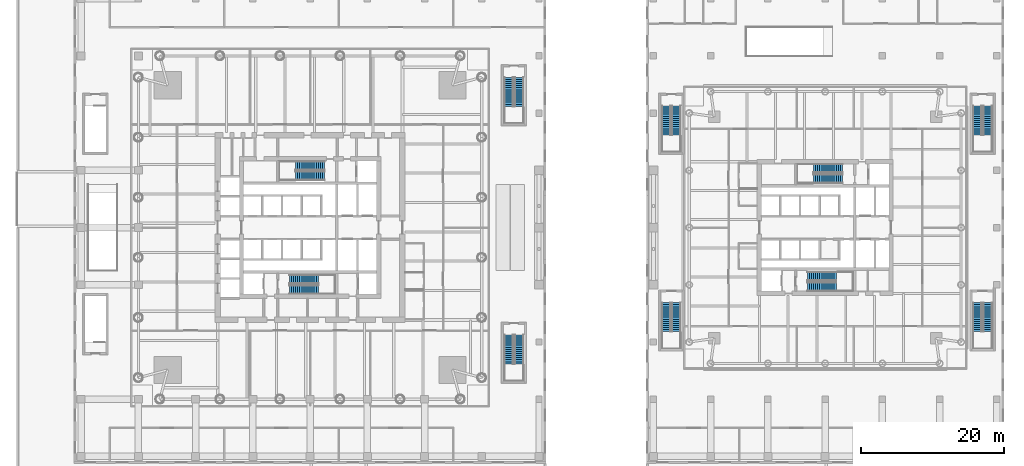
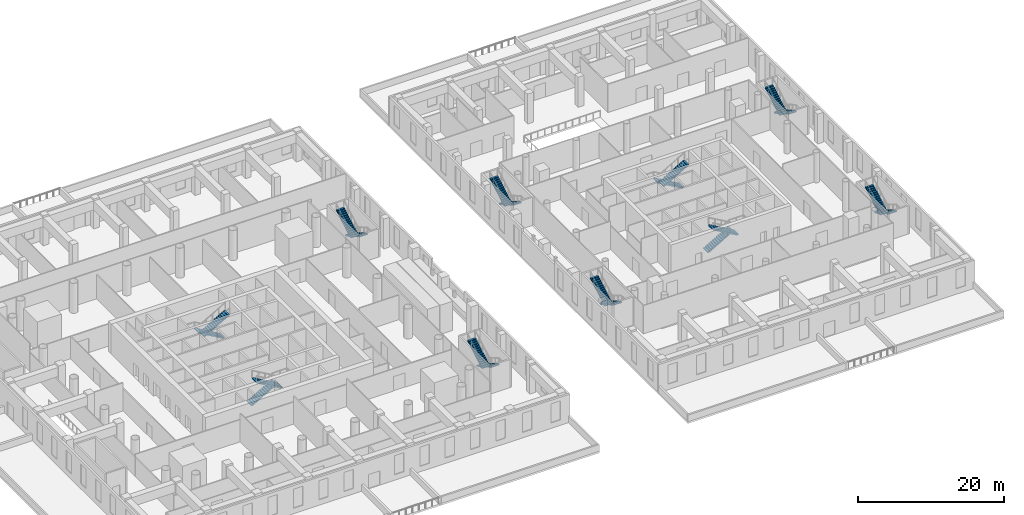
# One storey, part 21 of 26: 20 stair flights, 10 elements without a shape of their own.
"""IFC4 building model written with IfcOpenShell, lengths in metres."""

from ifc_helpers import new_model, si_unit, direction, frame, origin, place, context, subcontext, project, spatial, polyline, outline, extrude, material, type_object, element, aggregate, save


model = new_model("IFC4")

# Units and contexts
model_context = context("Model", 3, precision=1e-05, world=origin(), true_north=direction((0.0, 1.0)))
body_context = subcontext(model_context, "Body", "Model", "MODEL_VIEW")
ifc_project = project(units=[si_unit("LENGTHUNIT", "METRE"), si_unit("AREAUNIT", "SQUARE_METRE"), si_unit("VOLUMEUNIT", "CUBIC_METRE"), si_unit("PLANEANGLEUNIT", "RADIAN"), si_unit("MASSUNIT", "GRAM", prefix="KILO")], contexts=[model_context])

# Site, building, storey
site_placement = place(None, origin())
site = spatial("IfcSite", under=ifc_project, at=site_placement, CompositionType="ELEMENT")
building_placement = place(site_placement, origin())
building = spatial("IfcBuilding", under=site, at=building_placement, Name="Ostroluk Exchange", CompositionType="ELEMENT")
storey_placement = place(building_placement, frame((0.0, 0.0, 6.0)))
storey = spatial("IfcBuildingStorey", under=building, at=storey_placement, Name="L01", CompositionType="ELEMENT", Elevation=6.0)

# Stair, stair flights
ifc_material_1 = material(Name="Concrete C30/37", Category="concrete")
stair_type = type_object("IfcStairType", Name="Exit stair half turn 5000", PredefinedType="HALF_TURN_STAIR", material=ifc_material_1)
stair_1_placement = place(storey_placement, origin())
stair_1 = element("IfcStair", 1, at=stair_1_placement, inside=storey, type_object=stair_type, Name="Stair T1-S1 L01", PredefinedType="HALF_TURN_STAIR")
ifc_material_2 = material(Name="Concrete C30/37", Category="concrete")
stair_flight_type = type_object("IfcStairFlightType", Name="Stair flight 15 risers 166.7 x 290", PredefinedType="STRAIGHT", material=ifc_material_2)
stair_flight_1_placement = place(storey_placement, frame((42.10009765625, 38.77490234375, 0.0), z_axis=(0.0, 0.0, 1.0), x_axis=(1.0, 0.0, 0.0)))
stair_flight_1 = element("IfcStairFlight", 2, at=stair_flight_1_placement, type_object=stair_flight_type, Name="T1-S1 flight 1", NumberOfRisers=15, NumberOfTreads=14, PredefinedType="STRAIGHT", RiserHeight=0.166666667, TreadLength=0.29, context=body_context, shape_type="SweptSolid", body=[
    extrude(outline(polyline([(0.0, 0.0), (0.0, 0.166748046875), (0.2900390625, 0.166748046875), (0.2900390625, 0.333251953125), (0.580078125, 0.333251953125), (0.580078125, 0.5), (0.8701171875, 0.5), (0.8701171875, 0.666748046875), (1.159912109375, 0.666748046875), (1.159912109375, 0.833251953125), (1.449951171875, 0.833251953125), (1.449951171875, 1.0), (1.739990234375, 1.0), (1.739990234375, 1.166748046875), (2.030029296875, 1.166748046875), (2.030029296875, 1.333251953125), (2.320068359375, 1.333251953125), (2.320068359375, 1.5), (2.610107421875, 1.5), (2.610107421875, 1.666748046875), (2.89990234375, 1.666748046875), (2.89990234375, 1.833251953125), (3.18994140625, 1.833251953125), (3.18994140625, 2.0), (3.47998046875, 2.0), (3.47998046875, 2.166748046875), (3.77001953125, 2.166748046875), (3.77001953125, 2.333251953125), (4.06005859375, 2.333251953125), (4.06005859375, 2.5), (4.06005859375, 2.160400390625), (0.30078125, 0.0), (0.0, 0.0)])), frame((0.0, 0.625, 0.0), z_axis=(0.0, -1.0, 0.0), x_axis=(1.0, 0.0, 0.0)), (0.0, 0.0, 1.0), 1.25),
])
stair_flight_2_placement = place(storey_placement, frame((46.159912109375, 37.324951171875, 2.5), z_axis=(0.0, 0.0, 1.0), x_axis=(-1.0, 0.0, 0.0)))
stair_flight_2 = element("IfcStairFlight", 3, at=stair_flight_2_placement, type_object=stair_flight_type, Name="T1-S1 flight 2", NumberOfRisers=15, NumberOfTreads=14, PredefinedType="STRAIGHT", RiserHeight=0.166666667, TreadLength=0.29, context=body_context, shape_type="SweptSolid", body=[
    extrude(outline(polyline([(0.0, 0.0), (0.0, 0.166748046875), (0.2900390625, 0.166748046875), (0.2900390625, 0.333251953125), (0.580078125, 0.333251953125), (0.580078125, 0.5), (0.8701171875, 0.5), (0.8701171875, 0.666748046875), (1.159912109375, 0.666748046875), (1.159912109375, 0.833251953125), (1.449951171875, 0.833251953125), (1.449951171875, 1.0), (1.739990234375, 1.0), (1.739990234375, 1.166748046875), (2.030029296875, 1.166748046875), (2.030029296875, 1.333251953125), (2.320068359375, 1.333251953125), (2.320068359375, 1.5), (2.610107421875, 1.5), (2.610107421875, 1.666748046875), (2.89990234375, 1.666748046875), (2.89990234375, 1.833251953125), (3.18994140625, 1.833251953125), (3.18994140625, 2.0), (3.47998046875, 2.0), (3.47998046875, 2.166748046875), (3.77001953125, 2.166748046875), (3.77001953125, 2.333251953125), (4.06005859375, 2.333251953125), (4.06005859375, 2.5), (4.06005859375, 2.160400390625), (0.30078125, 0.0), (0.0, 0.0)])), frame((0.0, 0.625, 0.0), z_axis=(0.0, -1.0, 0.0), x_axis=(1.0, 0.0, 0.0)), (0.0, 0.0, 1.0), 1.25),
])
aggregate(stair_1, [stair_flight_1, stair_flight_2])

stair_2_placement = place(storey_placement, origin())
stair_2 = element("IfcStair", 4, at=stair_2_placement, inside=storey, type_object=stair_type, Name="Stair T1-S2 L01", PredefinedType="HALF_TURN_STAIR")
stair_flight_3_placement = place(storey_placement, frame((47.030029296875, 54.675048828125, 0.0), z_axis=(0.0, 0.0, 1.0), x_axis=(-1.0, 0.0, 0.0)))
stair_flight_3 = element("IfcStairFlight", 5, at=stair_flight_3_placement, type_object=stair_flight_type, Name="T1-S2 flight 1", NumberOfRisers=15, NumberOfTreads=14, PredefinedType="STRAIGHT", RiserHeight=0.166666667, TreadLength=0.29, context=body_context, shape_type="SweptSolid", body=[
    extrude(outline(polyline([(0.0, 0.0), (0.0, 0.166748046875), (0.2900390625, 0.166748046875), (0.2900390625, 0.333251953125), (0.580078125, 0.333251953125), (0.580078125, 0.5), (0.8701171875, 0.5), (0.8701171875, 0.666748046875), (1.159912109375, 0.666748046875), (1.159912109375, 0.833251953125), (1.449951171875, 0.833251953125), (1.449951171875, 1.0), (1.739990234375, 1.0), (1.739990234375, 1.166748046875), (2.030029296875, 1.166748046875), (2.030029296875, 1.333251953125), (2.320068359375, 1.333251953125), (2.320068359375, 1.5), (2.610107421875, 1.5), (2.610107421875, 1.666748046875), (2.89990234375, 1.666748046875), (2.89990234375, 1.833251953125), (3.18994140625, 1.833251953125), (3.18994140625, 2.0), (3.47998046875, 2.0), (3.47998046875, 2.166748046875), (3.77001953125, 2.166748046875), (3.77001953125, 2.333251953125), (4.06005859375, 2.333251953125), (4.06005859375, 2.5), (4.06005859375, 2.160400390625), (0.30078125, 0.0), (0.0, 0.0)])), frame((0.0, 0.625, 0.0), z_axis=(0.0, -1.0, 0.0), x_axis=(1.0, 0.0, 0.0)), (0.0, 0.0, 1.0), 1.25),
])
stair_flight_4_placement = place(storey_placement, frame((42.969970703125, 53.22509765625, 2.5), z_axis=(0.0, 0.0, 1.0), x_axis=(1.0, 0.0, 0.0)))
stair_flight_4 = element("IfcStairFlight", 6, at=stair_flight_4_placement, type_object=stair_flight_type, Name="T1-S2 flight 2", NumberOfRisers=15, NumberOfTreads=14, PredefinedType="STRAIGHT", RiserHeight=0.166666667, TreadLength=0.29, context=body_context, shape_type="SweptSolid", body=[
    extrude(outline(polyline([(0.0, 0.0), (0.0, 0.166748046875), (0.2900390625, 0.166748046875), (0.2900390625, 0.333251953125), (0.580078125, 0.333251953125), (0.580078125, 0.5), (0.8701171875, 0.5), (0.8701171875, 0.666748046875), (1.159912109375, 0.666748046875), (1.159912109375, 0.833251953125), (1.449951171875, 0.833251953125), (1.449951171875, 1.0), (1.739990234375, 1.0), (1.739990234375, 1.166748046875), (2.030029296875, 1.166748046875), (2.030029296875, 1.333251953125), (2.320068359375, 1.333251953125), (2.320068359375, 1.5), (2.610107421875, 1.5), (2.610107421875, 1.666748046875), (2.89990234375, 1.666748046875), (2.89990234375, 1.833251953125), (3.18994140625, 1.833251953125), (3.18994140625, 2.0), (3.47998046875, 2.0), (3.47998046875, 2.166748046875), (3.77001953125, 2.166748046875), (3.77001953125, 2.333251953125), (4.06005859375, 2.333251953125), (4.06005859375, 2.5), (4.06005859375, 2.160400390625), (0.30078125, 0.0), (0.0, 0.0)])), frame((0.0, 0.625, 0.0), z_axis=(0.0, -1.0, 0.0), x_axis=(1.0, 0.0, 0.0)), (0.0, 0.0, 1.0), 1.25),
])
aggregate(stair_2, [stair_flight_3, stair_flight_4])

stair_3_placement = place(storey_placement, origin())
stair_3 = element("IfcStair", 7, at=stair_3_placement, inside=storey, type_object=stair_type, Name="Stair T2-S1 L01", PredefinedType="HALF_TURN_STAIR")
stair_flight_5_placement = place(storey_placement, frame((114.5, 39.175048828125, 0.0), z_axis=(0.0, 0.0, 1.0), x_axis=(1.0, 0.0, 0.0)))
stair_flight_5 = element("IfcStairFlight", 8, at=stair_flight_5_placement, type_object=stair_flight_type, Name="T2-S1 flight 1", NumberOfRisers=15, NumberOfTreads=14, PredefinedType="STRAIGHT", RiserHeight=0.166666667, TreadLength=0.29, context=body_context, shape_type="SweptSolid", body=[
    extrude(outline(polyline([(0.0, 0.0), (0.0, 0.166748046875), (0.2900390625, 0.166748046875), (0.2900390625, 0.333251953125), (0.580078125, 0.333251953125), (0.580078125, 0.5), (0.8701171875, 0.5), (0.8701171875, 0.666748046875), (1.159912109375, 0.666748046875), (1.159912109375, 0.833251953125), (1.449951171875, 0.833251953125), (1.449951171875, 1.0), (1.739990234375, 1.0), (1.739990234375, 1.166748046875), (2.030029296875, 1.166748046875), (2.030029296875, 1.333251953125), (2.320068359375, 1.333251953125), (2.320068359375, 1.5), (2.610107421875, 1.5), (2.610107421875, 1.666748046875), (2.89990234375, 1.666748046875), (2.89990234375, 1.833251953125), (3.18994140625, 1.833251953125), (3.18994140625, 2.0), (3.47998046875, 2.0), (3.47998046875, 2.166748046875), (3.77001953125, 2.166748046875), (3.77001953125, 2.333251953125), (4.06005859375, 2.333251953125), (4.06005859375, 2.5), (4.06005859375, 2.160400390625), (0.30078125, 0.0), (0.0, 0.0)])), frame((0.0, 0.625, 0.0), z_axis=(0.0, -1.0, 0.0), x_axis=(1.0, 0.0, 0.0)), (0.0, 0.0, 1.0), 1.25),
])
stair_flight_6_placement = place(storey_placement, frame((118.56005859375, 37.72509765625, 2.5), z_axis=(0.0, 0.0, 1.0), x_axis=(-1.0, 0.0, 0.0)))
stair_flight_6 = element("IfcStairFlight", 9, at=stair_flight_6_placement, type_object=stair_flight_type, Name="T2-S1 flight 2", NumberOfRisers=15, NumberOfTreads=14, PredefinedType="STRAIGHT", RiserHeight=0.166666667, TreadLength=0.29, context=body_context, shape_type="SweptSolid", body=[
    extrude(outline(polyline([(0.0, 0.0), (0.0, 0.166748046875), (0.2900390625, 0.166748046875), (0.2900390625, 0.333251953125), (0.580078125, 0.333251953125), (0.580078125, 0.5), (0.8701171875, 0.5), (0.8701171875, 0.666748046875), (1.159912109375, 0.666748046875), (1.159912109375, 0.833251953125), (1.449951171875, 0.833251953125), (1.449951171875, 1.0), (1.739990234375, 1.0), (1.739990234375, 1.166748046875), (2.030029296875, 1.166748046875), (2.030029296875, 1.333251953125), (2.320068359375, 1.333251953125), (2.320068359375, 1.5), (2.610107421875, 1.5), (2.610107421875, 1.666748046875), (2.89990234375, 1.666748046875), (2.89990234375, 1.833251953125), (3.18994140625, 1.833251953125), (3.18994140625, 2.0), (3.47998046875, 2.0), (3.47998046875, 2.166748046875), (3.77001953125, 2.166748046875), (3.77001953125, 2.333251953125), (4.06005859375, 2.333251953125), (4.06005859375, 2.5), (4.06005859375, 2.160400390625), (0.30078125, 0.0), (0.0, 0.0)])), frame((0.0, 0.625, 0.0), z_axis=(0.0, -1.0, 0.0), x_axis=(1.0, 0.0, 0.0)), (0.0, 0.0, 1.0), 1.25),
])
aggregate(stair_3, [stair_flight_5, stair_flight_6])

stair_4_placement = place(storey_placement, origin())
stair_4 = element("IfcStair", 10, at=stair_4_placement, inside=storey, type_object=stair_type, Name="Stair T2-S2 L01", PredefinedType="HALF_TURN_STAIR")
stair_flight_7_placement = place(storey_placement, frame((119.429931640625, 54.27490234375, 0.0), z_axis=(0.0, 0.0, 1.0), x_axis=(-1.0, 0.0, 0.0)))
stair_flight_7 = element("IfcStairFlight", 11, at=stair_flight_7_placement, type_object=stair_flight_type, Name="T2-S2 flight 1", NumberOfRisers=15, NumberOfTreads=14, PredefinedType="STRAIGHT", RiserHeight=0.166666667, TreadLength=0.29, context=body_context, shape_type="SweptSolid", body=[
    extrude(outline(polyline([(0.0, 0.0), (0.0, 0.166748046875), (0.2900390625, 0.166748046875), (0.2900390625, 0.333251953125), (0.580078125, 0.333251953125), (0.580078125, 0.5), (0.8701171875, 0.5), (0.8701171875, 0.666748046875), (1.159912109375, 0.666748046875), (1.159912109375, 0.833251953125), (1.449951171875, 0.833251953125), (1.449951171875, 1.0), (1.739990234375, 1.0), (1.739990234375, 1.166748046875), (2.030029296875, 1.166748046875), (2.030029296875, 1.333251953125), (2.320068359375, 1.333251953125), (2.320068359375, 1.5), (2.610107421875, 1.5), (2.610107421875, 1.666748046875), (2.89990234375, 1.666748046875), (2.89990234375, 1.833251953125), (3.18994140625, 1.833251953125), (3.18994140625, 2.0), (3.47998046875, 2.0), (3.47998046875, 2.166748046875), (3.77001953125, 2.166748046875), (3.77001953125, 2.333251953125), (4.06005859375, 2.333251953125), (4.06005859375, 2.5), (4.06005859375, 2.160400390625), (0.30078125, 0.0), (0.0, 0.0)])), frame((0.0, 0.625, 0.0), z_axis=(0.0, -1.0, 0.0), x_axis=(1.0, 0.0, 0.0)), (0.0, 0.0, 1.0), 1.25),
])
stair_flight_8_placement = place(storey_placement, frame((115.3701171875, 52.824951171875, 2.5), z_axis=(0.0, 0.0, 1.0), x_axis=(1.0, 0.0, 0.0)))
stair_flight_8 = element("IfcStairFlight", 12, at=stair_flight_8_placement, type_object=stair_flight_type, Name="T2-S2 flight 2", NumberOfRisers=15, NumberOfTreads=14, PredefinedType="STRAIGHT", RiserHeight=0.166666667, TreadLength=0.29, context=body_context, shape_type="SweptSolid", body=[
    extrude(outline(polyline([(0.0, 0.0), (0.0, 0.166748046875), (0.2900390625, 0.166748046875), (0.2900390625, 0.333251953125), (0.580078125, 0.333251953125), (0.580078125, 0.5), (0.8701171875, 0.5), (0.8701171875, 0.666748046875), (1.159912109375, 0.666748046875), (1.159912109375, 0.833251953125), (1.449951171875, 0.833251953125), (1.449951171875, 1.0), (1.739990234375, 1.0), (1.739990234375, 1.166748046875), (2.030029296875, 1.166748046875), (2.030029296875, 1.333251953125), (2.320068359375, 1.333251953125), (2.320068359375, 1.5), (2.610107421875, 1.5), (2.610107421875, 1.666748046875), (2.89990234375, 1.666748046875), (2.89990234375, 1.833251953125), (3.18994140625, 1.833251953125), (3.18994140625, 2.0), (3.47998046875, 2.0), (3.47998046875, 2.166748046875), (3.77001953125, 2.166748046875), (3.77001953125, 2.333251953125), (4.06005859375, 2.333251953125), (4.06005859375, 2.5), (4.06005859375, 2.160400390625), (0.30078125, 0.0), (0.0, 0.0)])), frame((0.0, 0.625, 0.0), z_axis=(0.0, -1.0, 0.0), x_axis=(1.0, 0.0, 0.0)), (0.0, 0.0, 1.0), 1.25),
])
aggregate(stair_4, [stair_flight_7, stair_flight_8])

stair_5_placement = place(storey_placement, origin())
stair_5 = element("IfcStair", 13, at=stair_5_placement, inside=storey, type_object=stair_type, Name="Stair PS3 L01", PredefinedType="HALF_TURN_STAIR")
stair_flight_9_placement = place(storey_placement, frame((74.22509765625, 31.0, 0.0), z_axis=(0.0, 0.0, 1.0), x_axis=(0.0, -1.0, 0.0)))
stair_flight_9 = element("IfcStairFlight", 14, at=stair_flight_9_placement, type_object=stair_flight_type, Name="PS3 flight 1", NumberOfRisers=15, NumberOfTreads=14, PredefinedType="STRAIGHT", RiserHeight=0.166666667, TreadLength=0.29, context=body_context, shape_type="SweptSolid", body=[
    extrude(outline(polyline([(0.0, 0.0), (0.0, 0.166748046875), (0.2900390625, 0.166748046875), (0.2900390625, 0.333251953125), (0.580078125, 0.333251953125), (0.580078125, 0.5), (0.8701171875, 0.5), (0.8701171875, 0.666748046875), (1.159912109375, 0.666748046875), (1.159912109375, 0.833251953125), (1.449951171875, 0.833251953125), (1.449951171875, 1.0), (1.739990234375, 1.0), (1.739990234375, 1.166748046875), (2.030029296875, 1.166748046875), (2.030029296875, 1.333251953125), (2.320068359375, 1.333251953125), (2.320068359375, 1.5), (2.610107421875, 1.5), (2.610107421875, 1.666748046875), (2.89990234375, 1.666748046875), (2.89990234375, 1.833251953125), (3.18994140625, 1.833251953125), (3.18994140625, 2.0), (3.47998046875, 2.0), (3.47998046875, 2.166748046875), (3.77001953125, 2.166748046875), (3.77001953125, 2.333251953125), (4.06005859375, 2.333251953125), (4.06005859375, 2.5), (4.06005859375, 2.160400390625), (0.30078125, 0.0), (0.0, 0.0)])), frame((0.0, 0.625, 0.0), z_axis=(0.0, -1.0, 0.0), x_axis=(1.0, 0.0, 0.0)), (0.0, 0.0, 1.0), 1.25),
])
stair_flight_10_placement = place(storey_placement, frame((72.77490234375, 26.93994140625, 2.5), z_axis=(0.0, 0.0, 1.0), x_axis=(0.0, 1.0, 0.0)))
stair_flight_10 = element("IfcStairFlight", 15, at=stair_flight_10_placement, type_object=stair_flight_type, Name="PS3 flight 2", NumberOfRisers=15, NumberOfTreads=14, PredefinedType="STRAIGHT", RiserHeight=0.166666667, TreadLength=0.29, context=body_context, shape_type="SweptSolid", body=[
    extrude(outline(polyline([(0.0, 0.0), (0.0, 0.166748046875), (0.2900390625, 0.166748046875), (0.2900390625, 0.333251953125), (0.580078125, 0.333251953125), (0.580078125, 0.5), (0.8701171875, 0.5), (0.8701171875, 0.666748046875), (1.159912109375, 0.666748046875), (1.159912109375, 0.833251953125), (1.449951171875, 0.833251953125), (1.449951171875, 1.0), (1.739990234375, 1.0), (1.739990234375, 1.166748046875), (2.030029296875, 1.166748046875), (2.030029296875, 1.333251953125), (2.320068359375, 1.333251953125), (2.320068359375, 1.5), (2.610107421875, 1.5), (2.610107421875, 1.666748046875), (2.89990234375, 1.666748046875), (2.89990234375, 1.833251953125), (3.18994140625, 1.833251953125), (3.18994140625, 2.0), (3.47998046875, 2.0), (3.47998046875, 2.166748046875), (3.77001953125, 2.166748046875), (3.77001953125, 2.333251953125), (4.06005859375, 2.333251953125), (4.06005859375, 2.5), (4.06005859375, 2.160400390625), (0.30078125, 0.0), (0.0, 0.0)])), frame((0.0, 0.625, 0.0), z_axis=(0.0, -1.0, 0.0), x_axis=(1.0, 0.0, 0.0)), (0.0, 0.0, 1.0), 1.25),
])
aggregate(stair_5, [stair_flight_9, stair_flight_10])

stair_6_placement = place(storey_placement, origin())
stair_6 = element("IfcStair", 16, at=stair_6_placement, inside=storey, type_object=stair_type, Name="Stair PS4 L01", PredefinedType="HALF_TURN_STAIR")
stair_flight_11_placement = place(storey_placement, frame((74.22509765625, 67.0, 0.0), z_axis=(0.0, 0.0, 1.0), x_axis=(0.0, -1.0, 0.0)))
stair_flight_11 = element("IfcStairFlight", 17, at=stair_flight_11_placement, type_object=stair_flight_type, Name="PS4 flight 1", NumberOfRisers=15, NumberOfTreads=14, PredefinedType="STRAIGHT", RiserHeight=0.166666667, TreadLength=0.29, context=body_context, shape_type="SweptSolid", body=[
    extrude(outline(polyline([(0.0, 0.0), (0.0, 0.166748046875), (0.2900390625, 0.166748046875), (0.2900390625, 0.333251953125), (0.580078125, 0.333251953125), (0.580078125, 0.5), (0.8701171875, 0.5), (0.8701171875, 0.666748046875), (1.159912109375, 0.666748046875), (1.159912109375, 0.833251953125), (1.449951171875, 0.833251953125), (1.449951171875, 1.0), (1.739990234375, 1.0), (1.739990234375, 1.166748046875), (2.030029296875, 1.166748046875), (2.030029296875, 1.333251953125), (2.320068359375, 1.333251953125), (2.320068359375, 1.5), (2.610107421875, 1.5), (2.610107421875, 1.666748046875), (2.89990234375, 1.666748046875), (2.89990234375, 1.833251953125), (3.18994140625, 1.833251953125), (3.18994140625, 2.0), (3.47998046875, 2.0), (3.47998046875, 2.166748046875), (3.77001953125, 2.166748046875), (3.77001953125, 2.333251953125), (4.06005859375, 2.333251953125), (4.06005859375, 2.5), (4.06005859375, 2.160400390625), (0.30078125, 0.0), (0.0, 0.0)])), frame((0.0, 0.625, 0.0), z_axis=(0.0, -1.0, 0.0), x_axis=(1.0, 0.0, 0.0)), (0.0, 0.0, 1.0), 1.25),
])
stair_flight_12_placement = place(storey_placement, frame((72.77490234375, 62.93994140625, 2.5), z_axis=(0.0, 0.0, 1.0), x_axis=(0.0, 1.0, 0.0)))
stair_flight_12 = element("IfcStairFlight", 18, at=stair_flight_12_placement, type_object=stair_flight_type, Name="PS4 flight 2", NumberOfRisers=15, NumberOfTreads=14, PredefinedType="STRAIGHT", RiserHeight=0.166666667, TreadLength=0.29, context=body_context, shape_type="SweptSolid", body=[
    extrude(outline(polyline([(0.0, 0.0), (0.0, 0.166748046875), (0.2900390625, 0.166748046875), (0.2900390625, 0.333251953125), (0.580078125, 0.333251953125), (0.580078125, 0.5), (0.8701171875, 0.5), (0.8701171875, 0.666748046875), (1.159912109375, 0.666748046875), (1.159912109375, 0.833251953125), (1.449951171875, 0.833251953125), (1.449951171875, 1.0), (1.739990234375, 1.0), (1.739990234375, 1.166748046875), (2.030029296875, 1.166748046875), (2.030029296875, 1.333251953125), (2.320068359375, 1.333251953125), (2.320068359375, 1.5), (2.610107421875, 1.5), (2.610107421875, 1.666748046875), (2.89990234375, 1.666748046875), (2.89990234375, 1.833251953125), (3.18994140625, 1.833251953125), (3.18994140625, 2.0), (3.47998046875, 2.0), (3.47998046875, 2.166748046875), (3.77001953125, 2.166748046875), (3.77001953125, 2.333251953125), (4.06005859375, 2.333251953125), (4.06005859375, 2.5), (4.06005859375, 2.160400390625), (0.30078125, 0.0), (0.0, 0.0)])), frame((0.0, 0.625, 0.0), z_axis=(0.0, -1.0, 0.0), x_axis=(1.0, 0.0, 0.0)), (0.0, 0.0, 1.0), 1.25),
])
aggregate(stair_6, [stair_flight_11, stair_flight_12])

stair_7_placement = place(storey_placement, origin())
stair_7 = element("IfcStair", 19, at=stair_7_placement, inside=storey, type_object=stair_type, Name="Stair PS5 L01", PredefinedType="HALF_TURN_STAIR")
stair_flight_13_placement = place(storey_placement, frame((96.22509765625, 35.5, 0.0), z_axis=(0.0, 0.0, 1.0), x_axis=(0.0, -1.0, 0.0)))
stair_flight_13 = element("IfcStairFlight", 20, at=stair_flight_13_placement, type_object=stair_flight_type, Name="PS5 flight 1", NumberOfRisers=15, NumberOfTreads=14, PredefinedType="STRAIGHT", RiserHeight=0.166666667, TreadLength=0.29, context=body_context, shape_type="SweptSolid", body=[
    extrude(outline(polyline([(0.0, 0.0), (0.0, 0.166748046875), (0.2900390625, 0.166748046875), (0.2900390625, 0.333251953125), (0.580078125, 0.333251953125), (0.580078125, 0.5), (0.8701171875, 0.5), (0.8701171875, 0.666748046875), (1.159912109375, 0.666748046875), (1.159912109375, 0.833251953125), (1.449951171875, 0.833251953125), (1.449951171875, 1.0), (1.739990234375, 1.0), (1.739990234375, 1.166748046875), (2.030029296875, 1.166748046875), (2.030029296875, 1.333251953125), (2.320068359375, 1.333251953125), (2.320068359375, 1.5), (2.610107421875, 1.5), (2.610107421875, 1.666748046875), (2.89990234375, 1.666748046875), (2.89990234375, 1.833251953125), (3.18994140625, 1.833251953125), (3.18994140625, 2.0), (3.47998046875, 2.0), (3.47998046875, 2.166748046875), (3.77001953125, 2.166748046875), (3.77001953125, 2.333251953125), (4.06005859375, 2.333251953125), (4.06005859375, 2.5), (4.06005859375, 2.160400390625), (0.30078125, 0.0), (0.0, 0.0)])), frame((0.0, 0.625, 0.0), z_axis=(0.0, -1.0, 0.0), x_axis=(1.0, 0.0, 0.0)), (0.0, 0.0, 1.0), 1.25),
])
stair_flight_14_placement = place(storey_placement, frame((94.77490234375, 31.43994140625, 2.5), z_axis=(0.0, 0.0, 1.0), x_axis=(0.0, 1.0, 0.0)))
stair_flight_14 = element("IfcStairFlight", 21, at=stair_flight_14_placement, type_object=stair_flight_type, Name="PS5 flight 2", NumberOfRisers=15, NumberOfTreads=14, PredefinedType="STRAIGHT", RiserHeight=0.166666667, TreadLength=0.29, context=body_context, shape_type="SweptSolid", body=[
    extrude(outline(polyline([(0.0, 0.0), (0.0, 0.166748046875), (0.2900390625, 0.166748046875), (0.2900390625, 0.333251953125), (0.580078125, 0.333251953125), (0.580078125, 0.5), (0.8701171875, 0.5), (0.8701171875, 0.666748046875), (1.159912109375, 0.666748046875), (1.159912109375, 0.833251953125), (1.449951171875, 0.833251953125), (1.449951171875, 1.0), (1.739990234375, 1.0), (1.739990234375, 1.166748046875), (2.030029296875, 1.166748046875), (2.030029296875, 1.333251953125), (2.320068359375, 1.333251953125), (2.320068359375, 1.5), (2.610107421875, 1.5), (2.610107421875, 1.666748046875), (2.89990234375, 1.666748046875), (2.89990234375, 1.833251953125), (3.18994140625, 1.833251953125), (3.18994140625, 2.0), (3.47998046875, 2.0), (3.47998046875, 2.166748046875), (3.77001953125, 2.166748046875), (3.77001953125, 2.333251953125), (4.06005859375, 2.333251953125), (4.06005859375, 2.5), (4.06005859375, 2.160400390625), (0.30078125, 0.0), (0.0, 0.0)])), frame((0.0, 0.625, 0.0), z_axis=(0.0, -1.0, 0.0), x_axis=(1.0, 0.0, 0.0)), (0.0, 0.0, 1.0), 1.25),
])
aggregate(stair_7, [stair_flight_13, stair_flight_14])

stair_8_placement = place(storey_placement, origin())
stair_8 = element("IfcStair", 22, at=stair_8_placement, inside=storey, type_object=stair_type, Name="Stair PS6 L01", PredefinedType="HALF_TURN_STAIR")
stair_flight_15_placement = place(storey_placement, frame((96.22509765625, 63.0, 0.0), z_axis=(0.0, 0.0, 1.0), x_axis=(0.0, -1.0, 0.0)))
stair_flight_15 = element("IfcStairFlight", 23, at=stair_flight_15_placement, type_object=stair_flight_type, Name="PS6 flight 1", NumberOfRisers=15, NumberOfTreads=14, PredefinedType="STRAIGHT", RiserHeight=0.166666667, TreadLength=0.29, context=body_context, shape_type="SweptSolid", body=[
    extrude(outline(polyline([(0.0, 0.0), (0.0, 0.166748046875), (0.2900390625, 0.166748046875), (0.2900390625, 0.333251953125), (0.580078125, 0.333251953125), (0.580078125, 0.5), (0.8701171875, 0.5), (0.8701171875, 0.666748046875), (1.159912109375, 0.666748046875), (1.159912109375, 0.833251953125), (1.449951171875, 0.833251953125), (1.449951171875, 1.0), (1.739990234375, 1.0), (1.739990234375, 1.166748046875), (2.030029296875, 1.166748046875), (2.030029296875, 1.333251953125), (2.320068359375, 1.333251953125), (2.320068359375, 1.5), (2.610107421875, 1.5), (2.610107421875, 1.666748046875), (2.89990234375, 1.666748046875), (2.89990234375, 1.833251953125), (3.18994140625, 1.833251953125), (3.18994140625, 2.0), (3.47998046875, 2.0), (3.47998046875, 2.166748046875), (3.77001953125, 2.166748046875), (3.77001953125, 2.333251953125), (4.06005859375, 2.333251953125), (4.06005859375, 2.5), (4.06005859375, 2.160400390625), (0.30078125, 0.0), (0.0, 0.0)])), frame((0.0, 0.625, 0.0), z_axis=(0.0, -1.0, 0.0), x_axis=(1.0, 0.0, 0.0)), (0.0, 0.0, 1.0), 1.25),
])
stair_flight_16_placement = place(storey_placement, frame((94.77490234375, 58.93994140625, 2.5), z_axis=(0.0, 0.0, 1.0), x_axis=(0.0, 1.0, 0.0)))
stair_flight_16 = element("IfcStairFlight", 24, at=stair_flight_16_placement, type_object=stair_flight_type, Name="PS6 flight 2", NumberOfRisers=15, NumberOfTreads=14, PredefinedType="STRAIGHT", RiserHeight=0.166666667, TreadLength=0.29, context=body_context, shape_type="SweptSolid", body=[
    extrude(outline(polyline([(0.0, 0.0), (0.0, 0.166748046875), (0.2900390625, 0.166748046875), (0.2900390625, 0.333251953125), (0.580078125, 0.333251953125), (0.580078125, 0.5), (0.8701171875, 0.5), (0.8701171875, 0.666748046875), (1.159912109375, 0.666748046875), (1.159912109375, 0.833251953125), (1.449951171875, 0.833251953125), (1.449951171875, 1.0), (1.739990234375, 1.0), (1.739990234375, 1.166748046875), (2.030029296875, 1.166748046875), (2.030029296875, 1.333251953125), (2.320068359375, 1.333251953125), (2.320068359375, 1.5), (2.610107421875, 1.5), (2.610107421875, 1.666748046875), (2.89990234375, 1.666748046875), (2.89990234375, 1.833251953125), (3.18994140625, 1.833251953125), (3.18994140625, 2.0), (3.47998046875, 2.0), (3.47998046875, 2.166748046875), (3.77001953125, 2.166748046875), (3.77001953125, 2.333251953125), (4.06005859375, 2.333251953125), (4.06005859375, 2.5), (4.06005859375, 2.160400390625), (0.30078125, 0.0), (0.0, 0.0)])), frame((0.0, 0.625, 0.0), z_axis=(0.0, -1.0, 0.0), x_axis=(1.0, 0.0, 0.0)), (0.0, 0.0, 1.0), 1.25),
])
aggregate(stair_8, [stair_flight_15, stair_flight_16])

stair_9_placement = place(storey_placement, origin())
stair_9 = element("IfcStair", 25, at=stair_9_placement, inside=storey, type_object=stair_type, Name="Stair PS7 L01", PredefinedType="HALF_TURN_STAIR")
stair_flight_17_placement = place(storey_placement, frame((139.72509765625, 35.5, 0.0), z_axis=(0.0, 0.0, 1.0), x_axis=(0.0, -1.0, 0.0)))
stair_flight_17 = element("IfcStairFlight", 26, at=stair_flight_17_placement, type_object=stair_flight_type, Name="PS7 flight 1", NumberOfRisers=15, NumberOfTreads=14, PredefinedType="STRAIGHT", RiserHeight=0.166666667, TreadLength=0.29, context=body_context, shape_type="SweptSolid", body=[
    extrude(outline(polyline([(0.0, 0.0), (0.0, 0.166748046875), (0.2900390625, 0.166748046875), (0.2900390625, 0.333251953125), (0.580078125, 0.333251953125), (0.580078125, 0.5), (0.8701171875, 0.5), (0.8701171875, 0.666748046875), (1.159912109375, 0.666748046875), (1.159912109375, 0.833251953125), (1.449951171875, 0.833251953125), (1.449951171875, 1.0), (1.739990234375, 1.0), (1.739990234375, 1.166748046875), (2.030029296875, 1.166748046875), (2.030029296875, 1.333251953125), (2.320068359375, 1.333251953125), (2.320068359375, 1.5), (2.610107421875, 1.5), (2.610107421875, 1.666748046875), (2.89990234375, 1.666748046875), (2.89990234375, 1.833251953125), (3.18994140625, 1.833251953125), (3.18994140625, 2.0), (3.47998046875, 2.0), (3.47998046875, 2.166748046875), (3.77001953125, 2.166748046875), (3.77001953125, 2.333251953125), (4.06005859375, 2.333251953125), (4.06005859375, 2.5), (4.06005859375, 2.160400390625), (0.30078125, 0.0), (0.0, 0.0)])), frame((0.0, 0.625, 0.0), z_axis=(0.0, -1.0, 0.0), x_axis=(1.0, 0.0, 0.0)), (0.0, 0.0, 1.0), 1.25),
])
stair_flight_18_placement = place(storey_placement, frame((138.27490234375, 31.43994140625, 2.5), z_axis=(0.0, 0.0, 1.0), x_axis=(0.0, 1.0, 0.0)))
stair_flight_18 = element("IfcStairFlight", 27, at=stair_flight_18_placement, type_object=stair_flight_type, Name="PS7 flight 2", NumberOfRisers=15, NumberOfTreads=14, PredefinedType="STRAIGHT", RiserHeight=0.166666667, TreadLength=0.29, context=body_context, shape_type="SweptSolid", body=[
    extrude(outline(polyline([(0.0, 0.0), (0.0, 0.166748046875), (0.2900390625, 0.166748046875), (0.2900390625, 0.333251953125), (0.580078125, 0.333251953125), (0.580078125, 0.5), (0.8701171875, 0.5), (0.8701171875, 0.666748046875), (1.159912109375, 0.666748046875), (1.159912109375, 0.833251953125), (1.449951171875, 0.833251953125), (1.449951171875, 1.0), (1.739990234375, 1.0), (1.739990234375, 1.166748046875), (2.030029296875, 1.166748046875), (2.030029296875, 1.333251953125), (2.320068359375, 1.333251953125), (2.320068359375, 1.5), (2.610107421875, 1.5), (2.610107421875, 1.666748046875), (2.89990234375, 1.666748046875), (2.89990234375, 1.833251953125), (3.18994140625, 1.833251953125), (3.18994140625, 2.0), (3.47998046875, 2.0), (3.47998046875, 2.166748046875), (3.77001953125, 2.166748046875), (3.77001953125, 2.333251953125), (4.06005859375, 2.333251953125), (4.06005859375, 2.5), (4.06005859375, 2.160400390625), (0.30078125, 0.0), (0.0, 0.0)])), frame((0.0, 0.625, 0.0), z_axis=(0.0, -1.0, 0.0), x_axis=(1.0, 0.0, 0.0)), (0.0, 0.0, 1.0), 1.25),
])
aggregate(stair_9, [stair_flight_17, stair_flight_18])

stair_10_placement = place(storey_placement, origin())
stair_10 = element("IfcStair", 28, at=stair_10_placement, inside=storey, type_object=stair_type, Name="Stair PS8 L01", PredefinedType="HALF_TURN_STAIR")
stair_flight_19_placement = place(storey_placement, frame((139.72509765625, 63.0, 0.0), z_axis=(0.0, 0.0, 1.0), x_axis=(0.0, -1.0, 0.0)))
stair_flight_19 = element("IfcStairFlight", 29, at=stair_flight_19_placement, type_object=stair_flight_type, Name="PS8 flight 1", NumberOfRisers=15, NumberOfTreads=14, PredefinedType="STRAIGHT", RiserHeight=0.166666667, TreadLength=0.29, context=body_context, shape_type="SweptSolid", body=[
    extrude(outline(polyline([(0.0, 0.0), (0.0, 0.166748046875), (0.2900390625, 0.166748046875), (0.2900390625, 0.333251953125), (0.580078125, 0.333251953125), (0.580078125, 0.5), (0.8701171875, 0.5), (0.8701171875, 0.666748046875), (1.159912109375, 0.666748046875), (1.159912109375, 0.833251953125), (1.449951171875, 0.833251953125), (1.449951171875, 1.0), (1.739990234375, 1.0), (1.739990234375, 1.166748046875), (2.030029296875, 1.166748046875), (2.030029296875, 1.333251953125), (2.320068359375, 1.333251953125), (2.320068359375, 1.5), (2.610107421875, 1.5), (2.610107421875, 1.666748046875), (2.89990234375, 1.666748046875), (2.89990234375, 1.833251953125), (3.18994140625, 1.833251953125), (3.18994140625, 2.0), (3.47998046875, 2.0), (3.47998046875, 2.166748046875), (3.77001953125, 2.166748046875), (3.77001953125, 2.333251953125), (4.06005859375, 2.333251953125), (4.06005859375, 2.5), (4.06005859375, 2.160400390625), (0.30078125, 0.0), (0.0, 0.0)])), frame((0.0, 0.625, 0.0), z_axis=(0.0, -1.0, 0.0), x_axis=(1.0, 0.0, 0.0)), (0.0, 0.0, 1.0), 1.25),
])
stair_flight_20_placement = place(storey_placement, frame((138.27490234375, 58.93994140625, 2.5), z_axis=(0.0, 0.0, 1.0), x_axis=(0.0, 1.0, 0.0)))
stair_flight_20 = element("IfcStairFlight", 30, at=stair_flight_20_placement, type_object=stair_flight_type, Name="PS8 flight 2", NumberOfRisers=15, NumberOfTreads=14, PredefinedType="STRAIGHT", RiserHeight=0.166666667, TreadLength=0.29, context=body_context, shape_type="SweptSolid", body=[
    extrude(outline(polyline([(0.0, 0.0), (0.0, 0.166748046875), (0.2900390625, 0.166748046875), (0.2900390625, 0.333251953125), (0.580078125, 0.333251953125), (0.580078125, 0.5), (0.8701171875, 0.5), (0.8701171875, 0.666748046875), (1.159912109375, 0.666748046875), (1.159912109375, 0.833251953125), (1.449951171875, 0.833251953125), (1.449951171875, 1.0), (1.739990234375, 1.0), (1.739990234375, 1.166748046875), (2.030029296875, 1.166748046875), (2.030029296875, 1.333251953125), (2.320068359375, 1.333251953125), (2.320068359375, 1.5), (2.610107421875, 1.5), (2.610107421875, 1.666748046875), (2.89990234375, 1.666748046875), (2.89990234375, 1.833251953125), (3.18994140625, 1.833251953125), (3.18994140625, 2.0), (3.47998046875, 2.0), (3.47998046875, 2.166748046875), (3.77001953125, 2.166748046875), (3.77001953125, 2.333251953125), (4.06005859375, 2.333251953125), (4.06005859375, 2.5), (4.06005859375, 2.160400390625), (0.30078125, 0.0), (0.0, 0.0)])), frame((0.0, 0.625, 0.0), z_axis=(0.0, -1.0, 0.0), x_axis=(1.0, 0.0, 0.0)), (0.0, 0.0, 1.0), 1.25),
])
aggregate(stair_10, [stair_flight_19, stair_flight_20])

save(model, "model.ifc")
